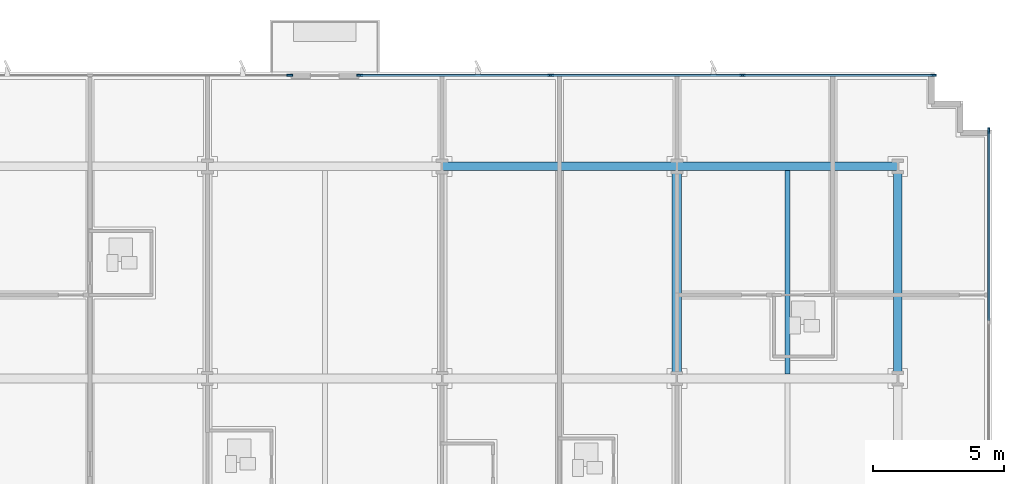
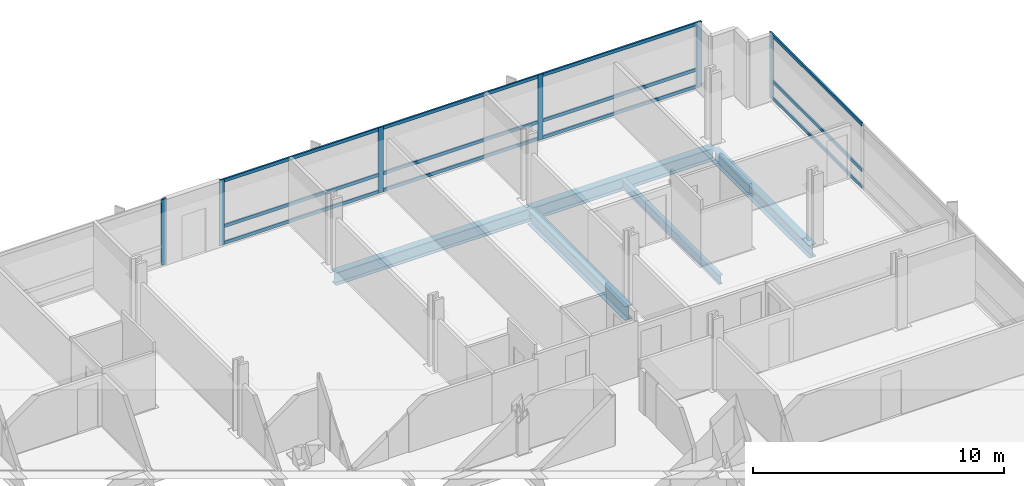
# One storey, part 6 of 17: 18 members, 5 beams, 3 elements without a shape of their own.
"""IFC4 building model written with IfcOpenShell, lengths in metres."""

from ifc_helpers import new_model, si_unit, direction, frame, origin, origin_2d, place, context, subcontext, project, spatial, rectangle, i_section, extrude, material, material_profile, profile_set, type_object, element, aggregate, save


model = new_model("IFC4")

# Units and contexts
model_context = context("Model", 3, precision=1e-05, world=origin(), true_north=direction((0.0, 1.0)))
body_context = subcontext(model_context, "Body", "Model", "MODEL_VIEW")
ifc_project = project(units=[si_unit("LENGTHUNIT", "METRE"), si_unit("AREAUNIT", "SQUARE_METRE"), si_unit("VOLUMEUNIT", "CUBIC_METRE"), si_unit("PLANEANGLEUNIT", "RADIAN"), si_unit("MASSUNIT", "GRAM", prefix="KILO")], contexts=[model_context])

# Site, building, storey
site_placement = place(None, origin())
site = spatial("IfcSite", under=ifc_project, at=site_placement, CompositionType="ELEMENT")
building_placement = place(site_placement, origin())
building = spatial("IfcBuilding", under=site, at=building_placement, Name="Solmavex Isthmus Hotel", CompositionType="ELEMENT")
storey_placement = place(building_placement, frame((0.0, 0.0, 47.10009765625)))
storey = spatial("IfcBuildingStorey", under=building, at=storey_placement, Name="L12", CompositionType="ELEMENT", Elevation=47.10009765625)

# Beams
ifc_material_1 = material(Name="Steel ASTM A992 Grade 50", Category="steel")
ifc_material_profile_1 = material_profile(ifc_material_1, i_section(OverallWidth=0.354736328125, OverallDepth=0.695556640625, WebThickness=0.015380859375, FlangeThickness=0.02490234375, FilletRadius=0.017822265625, at=origin_2d()), Name="W27X146")
ifc_profile_set_1 = profile_set([ifc_material_profile_1], Name="Steel ASTM A992 Grade 50")
beam_type_1 = type_object("IfcBeamType", Name="BM-BG-W27X146", PredefinedType="BEAM", material=ifc_profile_set_1)
beam_1_placement = place(storey_placement, frame((17.951904296875, 8.96533203125, -0.60791015625), z_axis=(0.0, 1.0, 0.0), x_axis=(-1.0, 0.0, 0.0)))
element("IfcBeam", 1, at=beam_1_placement, inside=storey, type_object=beam_type_1, Name="Floor Beam L12-VG45", PredefinedType="BEAM", context=body_context, shape_type="SweptSolid", body=[
    extrude(i_section(OverallWidth=0.354736328125, OverallDepth=0.695556640625, WebThickness=0.015380859375, FlangeThickness=0.02490234375, FilletRadius=0.017822265625, at=origin_2d()), origin(), (0.0, 0.0, 1.0), 7.771484375),
])
ifc_material_profile_2 = material_profile(ifc_material_1, i_section(OverallWidth=0.1904296875, OverallDepth=0.456787109375, WebThickness=0.009033203125, FlangeThickness=0.014404296875, FilletRadius=0.0126953125, at=origin_2d()), Name="W18X50")
ifc_profile_set_2 = profile_set([ifc_material_profile_2], Name="Steel ASTM A992 Grade 50")
beam_type_2 = type_object("IfcBeamType", Name="BM-BJ-W18X50", PredefinedType="JOIST", material=ifc_profile_set_2)
beam_2_placement = place(storey_placement, frame((22.176025390625, 8.96533203125, -0.488525390625), z_axis=(0.0, 1.0, 0.0), x_axis=(-1.0, 0.0, 0.0)))
element("IfcBeam", 2, at=beam_2_placement, inside=storey, type_object=beam_type_2, Name="Secondary Floor Joist L12-J22", PredefinedType="JOIST", context=body_context, shape_type="SweptSolid", body=[
    extrude(i_section(OverallWidth=0.1904296875, OverallDepth=0.456787109375, WebThickness=0.009033203125, FlangeThickness=0.014404296875, FilletRadius=0.0126953125, at=origin_2d()), origin(), (0.0, 0.0, 1.0), 7.771484375),
])
ifc_material_profile_3 = material_profile(ifc_material_1, i_section(OverallWidth=0.326416015625, OverallDepth=0.621826171875, WebThickness=0.015380859375, FlangeThickness=0.0244140625, FilletRadius=0.01513671875, at=origin_2d()), Name="W24X131")
ifc_profile_set_3 = profile_set([ifc_material_profile_3], Name="Steel ASTM A992 Grade 50")
beam_type_3 = type_object("IfcBeamType", Name="BM-SP-W24X131", PredefinedType="SPANDREL", material=ifc_profile_set_3)
beam_3_placement = place(storey_placement, frame((8.97607421875, 16.89990234375, -0.571044921875), z_axis=(1.0, 0.0, 0.0), x_axis=(0.0, 1.0, 0.0)))
element("IfcBeam", 3, at=beam_3_placement, inside=storey, type_object=beam_type_3, Name="Floor Girder L12-UG23", PredefinedType="SPANDREL", context=body_context, shape_type="SweptSolid", body=[
    extrude(i_section(OverallWidth=0.326416015625, OverallDepth=0.621826171875, WebThickness=0.015380859375, FlangeThickness=0.0244140625, FilletRadius=0.01513671875, at=origin_2d()), origin(), (0.0, 0.0, 1.0), 8.975830078125),
])
beam_4_placement = place(storey_placement, frame((17.951904296875, 16.89990234375, -0.571044921875), z_axis=(1.0, 0.0, 0.0), x_axis=(0.0, 1.0, 0.0)))
element("IfcBeam", 4, at=beam_4_placement, inside=storey, type_object=beam_type_3, Name="Floor Girder L12-UG24", PredefinedType="SPANDREL", context=body_context, shape_type="SweptSolid", body=[
    extrude(i_section(OverallWidth=0.326416015625, OverallDepth=0.621826171875, WebThickness=0.015380859375, FlangeThickness=0.0244140625, FilletRadius=0.01513671875, at=origin_2d()), origin(), (0.0, 0.0, 1.0), 8.447998046875),
])
beam_5_placement = place(storey_placement, frame((26.39990234375, 8.96533203125, -0.571044921875), z_axis=(0.0, 1.0, 0.0), x_axis=(-1.0, 0.0, 0.0)))
element("IfcBeam", 5, at=beam_5_placement, inside=storey, type_object=beam_type_3, Name="Floor Beam L12-VG48", PredefinedType="SPANDREL", context=body_context, shape_type="SweptSolid", body=[
    extrude(i_section(OverallWidth=0.326416015625, OverallDepth=0.621826171875, WebThickness=0.015380859375, FlangeThickness=0.0244140625, FilletRadius=0.01513671875, at=origin_2d()), origin(), (0.0, 0.0, 1.0), 7.771484375),
])

# Curtain wall, member
ifc_material_2 = material(Name="Aluminium alloy 6063-T6", Category="aluminium")
curtain_wall_type = type_object("IfcCurtainWallType", Name="CW-SYS-02", PredefinedType="NOTDEFINED", material=ifc_material_2)
curtain_wall_1_placement = place(storey_placement, origin())
curtain_wall_1 = element("IfcCurtainWall", 6, at=curtain_wall_1_placement, inside=storey, type_object=curtain_wall_type, Name="Stick Curtain Wall CWL-L12-N2", PredefinedType="NOTDEFINED")
ifc_material_profile_4 = material_profile(ifc_material_2, rectangle(XDim=0.074951171875, YDim=0.219970703125, at=origin_2d()), Name="CWM-75X220")
ifc_profile_set_4 = profile_set([ifc_material_profile_4], Name="Aluminium alloy 6063-T6")
member_type_1 = type_object("IfcMemberType", Name="CW-SYS-02-MUL", PredefinedType="MULLION", material=ifc_profile_set_4)
member_1_placement = place(storey_placement, frame((3.150390625, 20.3798828125, 0.0), z_axis=(0.0, 0.0, 1.0), x_axis=(0.0, 1.0, 0.0)))
member_1 = element("IfcMember", 7, at=member_1_placement, type_object=member_type_1, Name="CW-02 mullion 3", PredefinedType="MULLION", context=body_context, shape_type="SweptSolid", body=[
    extrude(rectangle(XDim=0.074951171875, YDim=0.219970703125, at=origin_2d()), origin(), (0.0, 0.0, 1.0), 3.18994140625),
])
aggregate(curtain_wall_1, [member_1])

# Curtain wall, members
curtain_wall_2_placement = place(storey_placement, origin())
curtain_wall_2 = element("IfcCurtainWall", 8, at=curtain_wall_2_placement, inside=storey, type_object=curtain_wall_type, Name="Stick Curtain Wall CWL-L12-N3", PredefinedType="NOTDEFINED")
member_2_placement = place(storey_placement, frame((5.825439453125, 20.3798828125, 0.0), z_axis=(0.0, 0.0, 1.0), x_axis=(0.0, 1.0, 0.0)))
member_2 = element("IfcMember", 9, at=member_2_placement, type_object=member_type_1, Name="CW-02 mullion 1", PredefinedType="MULLION", context=body_context, shape_type="SweptSolid", body=[
    extrude(rectangle(XDim=0.074951171875, YDim=0.219970703125, at=origin_2d()), origin(), (0.0, 0.0, 1.0), 3.18994140625),
])
member_3_placement = place(storey_placement, frame((13.125244140625, 20.3798828125, 0.0), z_axis=(0.0, 0.0, 1.0), x_axis=(0.0, 1.0, 0.0)))
member_3 = element("IfcMember", 10, at=member_3_placement, type_object=member_type_1, Name="CW-02 mullion 2", PredefinedType="MULLION", context=body_context, shape_type="SweptSolid", body=[
    extrude(rectangle(XDim=0.074951171875, YDim=0.219970703125, at=origin_2d()), origin(), (0.0, 0.0, 1.0), 3.18994140625),
])
member_4_placement = place(storey_placement, frame((20.462646484375, 20.3798828125, 0.0), z_axis=(0.0, 0.0, 1.0), x_axis=(0.0, 1.0, 0.0)))
member_4 = element("IfcMember", 11, at=member_4_placement, type_object=member_type_1, Name="CW-02 mullion 3", PredefinedType="MULLION", context=body_context, shape_type="SweptSolid", body=[
    extrude(rectangle(XDim=0.074951171875, YDim=0.219970703125, at=origin_2d()), origin(), (0.0, 0.0, 1.0), 3.18994140625),
])
member_5_placement = place(storey_placement, frame((27.762451171875, 20.3798828125, 0.0), z_axis=(0.0, 0.0, 1.0), x_axis=(0.0, 1.0, 0.0)))
member_5 = element("IfcMember", 12, at=member_5_placement, type_object=member_type_1, Name="CW-02 mullion 4", PredefinedType="MULLION", context=body_context, shape_type="SweptSolid", body=[
    extrude(rectangle(XDim=0.074951171875, YDim=0.219970703125, at=origin_2d()), origin(), (0.0, 0.0, 1.0), 3.18994140625),
])

# Curtain wall, member
curtain_wall_3_placement = place(storey_placement, origin())
curtain_wall_3 = element("IfcCurtainWall", 13, at=curtain_wall_3_placement, inside=storey, type_object=curtain_wall_type, Name="Stick Curtain Wall CWL-L12-E1", PredefinedType="NOTDEFINED")
member_6_placement = place(storey_placement, frame((29.8798828125, 18.262451171875, 0.0), z_axis=(0.0, 0.0, 1.0), x_axis=(-1.0, 0.0, 0.0)))
member_6 = element("IfcMember", 14, at=member_6_placement, type_object=member_type_1, Name="CW-02 mullion 6", PredefinedType="MULLION", context=body_context, shape_type="SweptSolid", body=[
    extrude(rectangle(XDim=0.074951171875, YDim=0.219970703125, at=origin_2d()), origin(), (0.0, 0.0, 1.0), 3.18994140625),
])

# Member
ifc_material_profile_5 = material_profile(ifc_material_2, rectangle(XDim=0.074951171875, YDim=0.159912109375, at=origin_2d()), Name="CWT-75X160")
ifc_profile_set_5 = profile_set([ifc_material_profile_5], Name="Aluminium alloy 6063-T6")
member_type_2 = type_object("IfcMemberType", Name="CW-SYS-02-TRN", PredefinedType="USERDEFINED", material=ifc_profile_set_5)
member_7_placement = place(storey_placement, frame((5.863037109375, 20.3798828125, 0.079833984375), z_axis=(1.0, 0.0, 0.0), x_axis=(0.0, 1.0, 0.0)))
member_7 = element("IfcMember", 15, at=member_7_placement, type_object=member_type_2, Name="CW-02 transom 1.1", ObjectType="TRANSOM", PredefinedType="USERDEFINED", context=body_context, shape_type="SweptSolid", body=[
    extrude(rectangle(XDim=0.074951171875, YDim=0.159912109375, at=origin_2d()), origin(), (0.0, 0.0, 1.0), 7.224853515625),
])

member_8_placement = place(storey_placement, frame((5.863037109375, 20.3798828125, 0.89990234375), z_axis=(1.0, 0.0, 0.0), x_axis=(0.0, 1.0, 0.0)))
member_8 = element("IfcMember", 16, at=member_8_placement, type_object=member_type_2, Name="CW-02 transom 1.2", ObjectType="TRANSOM", PredefinedType="USERDEFINED", context=body_context, shape_type="SweptSolid", body=[
    extrude(rectangle(XDim=0.074951171875, YDim=0.159912109375, at=origin_2d()), origin(), (0.0, 0.0, 1.0), 7.224853515625),
])

member_9_placement = place(storey_placement, frame((5.863037109375, 20.3798828125, 3.10986328125), z_axis=(1.0, 0.0, 0.0), x_axis=(0.0, 1.0, 0.0)))
member_9 = element("IfcMember", 17, at=member_9_placement, type_object=member_type_2, Name="CW-02 transom 1.3", ObjectType="TRANSOM", PredefinedType="USERDEFINED", context=body_context, shape_type="SweptSolid", body=[
    extrude(rectangle(XDim=0.074951171875, YDim=0.159912109375, at=origin_2d()), origin(), (0.0, 0.0, 1.0), 7.224853515625),
])

member_10_placement = place(storey_placement, frame((13.162841796875, 20.3798828125, 0.079833984375), z_axis=(1.0, 0.0, 0.0), x_axis=(0.0, 1.0, 0.0)))
member_10 = element("IfcMember", 18, at=member_10_placement, type_object=member_type_2, Name="CW-02 transom 2.1", ObjectType="TRANSOM", PredefinedType="USERDEFINED", context=body_context, shape_type="SweptSolid", body=[
    extrude(rectangle(XDim=0.074951171875, YDim=0.159912109375, at=origin_2d()), origin(), (0.0, 0.0, 1.0), 7.26220703125),
])

member_11_placement = place(storey_placement, frame((13.162841796875, 20.3798828125, 0.89990234375), z_axis=(1.0, 0.0, 0.0), x_axis=(0.0, 1.0, 0.0)))
member_11 = element("IfcMember", 19, at=member_11_placement, type_object=member_type_2, Name="CW-02 transom 2.2", ObjectType="TRANSOM", PredefinedType="USERDEFINED", context=body_context, shape_type="SweptSolid", body=[
    extrude(rectangle(XDim=0.074951171875, YDim=0.159912109375, at=origin_2d()), origin(), (0.0, 0.0, 1.0), 7.26220703125),
])

member_12_placement = place(storey_placement, frame((13.162841796875, 20.3798828125, 3.10986328125), z_axis=(1.0, 0.0, 0.0), x_axis=(0.0, 1.0, 0.0)))
member_12 = element("IfcMember", 20, at=member_12_placement, type_object=member_type_2, Name="CW-02 transom 2.3", ObjectType="TRANSOM", PredefinedType="USERDEFINED", context=body_context, shape_type="SweptSolid", body=[
    extrude(rectangle(XDim=0.074951171875, YDim=0.159912109375, at=origin_2d()), origin(), (0.0, 0.0, 1.0), 7.26220703125),
])

member_13_placement = place(storey_placement, frame((20.500244140625, 20.3798828125, 0.079833984375), z_axis=(1.0, 0.0, 0.0), x_axis=(0.0, 1.0, 0.0)))
member_13 = element("IfcMember", 21, at=member_13_placement, type_object=member_type_2, Name="CW-02 transom 3.1", ObjectType="TRANSOM", PredefinedType="USERDEFINED", context=body_context, shape_type="SweptSolid", body=[
    extrude(rectangle(XDim=0.074951171875, YDim=0.159912109375, at=origin_2d()), origin(), (0.0, 0.0, 1.0), 7.224853515625),
])

member_14_placement = place(storey_placement, frame((20.500244140625, 20.3798828125, 0.89990234375), z_axis=(1.0, 0.0, 0.0), x_axis=(0.0, 1.0, 0.0)))
member_14 = element("IfcMember", 22, at=member_14_placement, type_object=member_type_2, Name="CW-02 transom 3.2", ObjectType="TRANSOM", PredefinedType="USERDEFINED", context=body_context, shape_type="SweptSolid", body=[
    extrude(rectangle(XDim=0.074951171875, YDim=0.159912109375, at=origin_2d()), origin(), (0.0, 0.0, 1.0), 7.224853515625),
])

member_15_placement = place(storey_placement, frame((20.500244140625, 20.3798828125, 3.10986328125), z_axis=(1.0, 0.0, 0.0), x_axis=(0.0, 1.0, 0.0)))
member_15 = element("IfcMember", 23, at=member_15_placement, type_object=member_type_2, Name="CW-02 transom 3.3", ObjectType="TRANSOM", PredefinedType="USERDEFINED", context=body_context, shape_type="SweptSolid", body=[
    extrude(rectangle(XDim=0.074951171875, YDim=0.159912109375, at=origin_2d()), origin(), (0.0, 0.0, 1.0), 7.224853515625),
])

aggregate(curtain_wall_2, [member_2, member_3, member_4, member_5, member_7, member_8, member_9, member_10, member_11, member_12, member_13, member_14, member_15])

member_16_placement = place(storey_placement, frame((29.8798828125, 11.017578125, 0.079833984375), z_axis=(0.0, 1.0, 0.0), x_axis=(-1.0, 0.0, 0.0)))
member_16 = element("IfcMember", 24, at=member_16_placement, type_object=member_type_2, Name="CW-02 transom 5.1", ObjectType="TRANSOM", PredefinedType="USERDEFINED", context=body_context, shape_type="SweptSolid", body=[
    extrude(rectangle(XDim=0.074951171875, YDim=0.159912109375, at=origin_2d()), origin(), (0.0, 0.0, 1.0), 7.20751953125),
])

member_17_placement = place(storey_placement, frame((29.8798828125, 11.017578125, 0.89990234375), z_axis=(0.0, 1.0, 0.0), x_axis=(-1.0, 0.0, 0.0)))
member_17 = element("IfcMember", 25, at=member_17_placement, type_object=member_type_2, Name="CW-02 transom 5.2", ObjectType="TRANSOM", PredefinedType="USERDEFINED", context=body_context, shape_type="SweptSolid", body=[
    extrude(rectangle(XDim=0.074951171875, YDim=0.159912109375, at=origin_2d()), origin(), (0.0, 0.0, 1.0), 7.20751953125),
])

member_18_placement = place(storey_placement, frame((29.8798828125, 11.017578125, 3.10986328125), z_axis=(0.0, 1.0, 0.0), x_axis=(-1.0, 0.0, 0.0)))
member_18 = element("IfcMember", 26, at=member_18_placement, type_object=member_type_2, Name="CW-02 transom 5.3", ObjectType="TRANSOM", PredefinedType="USERDEFINED", context=body_context, shape_type="SweptSolid", body=[
    extrude(rectangle(XDim=0.074951171875, YDim=0.159912109375, at=origin_2d()), origin(), (0.0, 0.0, 1.0), 7.20751953125),
])

aggregate(curtain_wall_3, [member_6, member_16, member_17, member_18])

save(model, "model.ifc")
